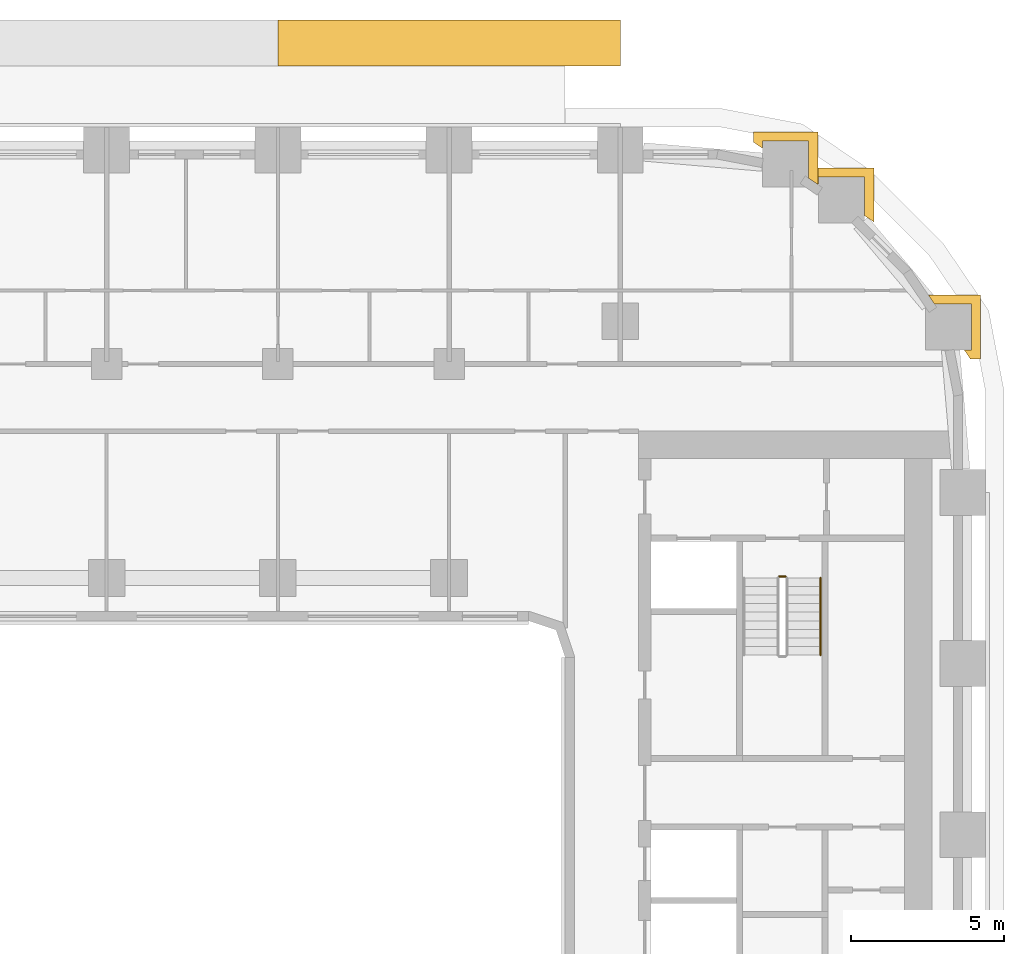
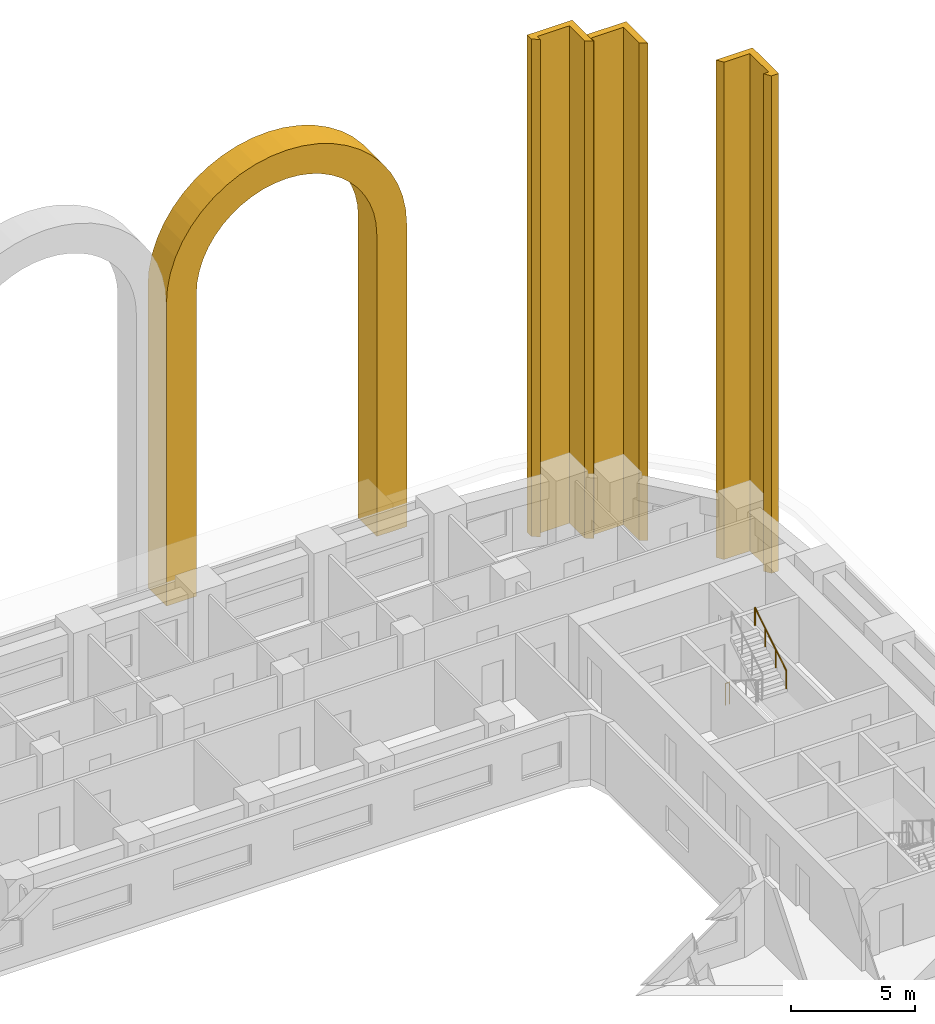
# One storey, part 21 of 21: 4 coverings, 2 railings.
"""IFC4 building model written with IfcOpenShell, lengths in metres."""

from ifc_helpers import new_model, si_unit, direction, frame, origin, origin_2d, place, context, subcontext, project, spatial, polyline, circle, outline, extrude, material, layer, layer_set, type_object, element, save


model = new_model("IFC4")

# Units and contexts
model_context = context("Model", 3, precision=1e-05, world=origin(), true_north=direction((0.0, 1.0)))
body_context = subcontext(model_context, "Body", "Model", "MODEL_VIEW")
ifc_project = project(units=[si_unit("LENGTHUNIT", "METRE"), si_unit("AREAUNIT", "SQUARE_METRE"), si_unit("VOLUMEUNIT", "CUBIC_METRE"), si_unit("PLANEANGLEUNIT", "RADIAN"), si_unit("MASSUNIT", "GRAM", prefix="KILO")], contexts=[model_context])

# Site, building, storey
site_placement = place(None, origin())
site = spatial("IfcSite", under=ifc_project, at=site_placement, CompositionType="ELEMENT")
building_placement = place(site_placement, origin())
building = spatial("IfcBuilding", under=site, at=building_placement, Name="Kiln Ring Residences", CompositionType="ELEMENT")
storey_placement = place(building_placement, frame((0.0, 0.0, 30.5)))
storey = spatial("IfcBuildingStorey", under=building, at=storey_placement, Name="L06", CompositionType="ELEMENT", Elevation=30.5)

# Covering
ifc_material_1 = material(Name="Brick masonry, dark clay brick", Category="masonry")
ifc_layer_1 = layer(ifc_material_1, 1.39990234375)
ifc_layer_set_1 = layer_set([ifc_layer_1], Name="ARCH SURROUND 1500")
covering_type_1 = type_object("IfcCoveringType", Name="ARCH SURROUND 1500", PredefinedType="CLADDING", material=ifc_layer_set_1)
covering_1_placement = place(storey_placement, frame((5.60009765625, 25.89990234375, 0.5), z_axis=(0.0, 0.0, 1.0), x_axis=(1.0, 0.0, 0.0)))
element("IfcCovering", 1, at=covering_1_placement, inside=storey, type_object=covering_type_1, Name="ARCH SURROUND Z1 N1.3", PredefinedType="CLADDING", context=body_context, shape_type="SweptSolid", body=[
    extrude(outline(polyline([(0.0, 0.0), (0.0, 14.89990234375), (0.0478515625, 15.630859375), (0.19091796875, 16.349365234375), (0.42626953125, 17.04296875), (0.750244140625, 17.699951171875), (1.1572265625, 18.30908203125), (1.64013671875, 18.85986328125), (2.19091796875, 19.3427734375), (2.800048828125, 19.749755859375), (3.45703125, 20.07373046875), (4.150634765625, 20.30908203125), (4.869140625, 20.4521484375), (5.60009765625, 20.5), (6.330810546875, 20.4521484375), (7.04931640625, 20.30908203125), (7.742919921875, 20.07373046875), (8.39990234375, 19.749755859375), (9.009033203125, 19.3427734375), (9.559814453125, 18.85986328125), (10.042724609375, 18.30908203125), (10.44970703125, 17.699951171875), (10.773681640625, 17.04296875), (11.00927734375, 16.349365234375), (11.152099609375, 15.630859375), (11.199951171875, 14.89990234375), (11.199951171875, 0.0), (9.800048828125, 0.0), (9.800048828125, 14.89990234375), (9.76416015625, 15.4482421875), (9.656982421875, 15.987060546875), (9.480224609375, 16.50732421875), (9.2373046875, 17.0), (8.93212890625, 17.456787109375), (8.56982421875, 17.869873046875), (8.15673828125, 18.232177734375), (7.699951171875, 18.537353515625), (7.207275390625, 18.7802734375), (6.68701171875, 18.956787109375), (6.148193359375, 19.064208984375), (5.60009765625, 19.10009765625), (5.0517578125, 19.064208984375), (4.512939453125, 18.956787109375), (3.99267578125, 18.7802734375), (3.5, 18.537353515625), (3.043212890625, 18.232177734375), (2.630126953125, 17.869873046875), (2.267822265625, 17.456787109375), (1.962646484375, 17.0), (1.7197265625, 16.50732421875), (1.543212890625, 15.987060546875), (1.435791015625, 15.4482421875), (1.39990234375, 14.89990234375), (1.39990234375, 0.0), (0.0, 0.0)])), frame((0.0, 0.75, 0.0), z_axis=(0.0, -1.0, 0.0), x_axis=(1.0, 0.0, 0.0)), (0.0, 0.0, 1.0), 1.5),
])

# Railings
ifc_material_2 = material(Name="Stainless steel", Category="steel")
railing_type_1 = type_object("IfcRailingType", Name="CORE-STAIR-GUARD", PredefinedType="GUARDRAIL", material=ifc_material_2)
railing_1_placement = place(storey_placement, frame((22.0, 8.449951171875, 0.0)))
element("IfcRailing", 2, at=railing_1_placement, inside=storey, type_object=railing_type_1, Name="L06 E-STN stair guard 4", PredefinedType="GUARDRAIL", context=body_context, shape_type="SweptSolid", body=[
    extrude(circle(Radius=0.02392578125, at=origin_2d()), frame((0.0, 0.0, 1.076171875), z_axis=(1.0, 0.0, 0.0), x_axis=(0.0, 1.0, 0.0)), (0.0, 0.0, 1.0), 0.199951171875),
    extrude(circle(Radius=0.02099609375, at=origin_2d()), origin(), (0.0, 0.0, 1.0), 1.052001953125),
    extrude(circle(Radius=0.02099609375, at=origin_2d()), frame((0.199951171875, 0.0, 0.0)), (0.0, 0.0, 1.0), 1.052001953125),
])
ifc_material_3 = material(Name="Stainless steel", Category="steel")
railing_type_2 = type_object("IfcRailingType", Name="CORE-STAIR-HANDRAIL", PredefinedType="HANDRAIL", material=ifc_material_3)
railing_2_placement = place(storey_placement, frame((23.35009765625, 5.8798828125, 1.925048828125)))
element("IfcRailing", 3, at=railing_2_placement, inside=storey, type_object=railing_type_2, Name="L06 E-STN stair handrail 2", PredefinedType="HANDRAIL", context=body_context, shape_type="SweptSolid", body=[
    extrude(circle(Radius=0.02392578125, at=origin_2d()), frame((0.0, 0.0, 0.8759765625), z_axis=(0.0, 0.848007534815, 0.529984170421), x_axis=(-1.0, 0.0, 0.0)), (0.0, 0.0, 1.0), 2.9716796875),
    extrude(circle(Radius=0.02099609375, at=origin_2d()), origin(), (0.0, 0.0, 1.0), 0.851806640625),
    extrude(circle(Radius=0.02099609375, at=origin_2d()), frame((0.0, 0.840087890625, 0.52490234375)), (0.0, 0.0, 1.0), 0.851806640625),
    extrude(circle(Radius=0.02099609375, at=origin_2d()), frame((0.0, 1.679931640625, 1.050048828125)), (0.0, 0.0, 1.0), 0.851806640625),
    extrude(circle(Radius=0.02099609375, at=origin_2d()), frame((0.0, 2.52001953125, 1.574951171875)), (0.0, 0.0, 1.0), 0.851806640625),
])

# Coverings
ifc_material_4 = material(Name="Brick masonry, dark clay brick", Category="masonry")
ifc_layer_2 = layer(ifc_material_4, 0.300048828125)
ifc_layer_set_2 = layer_set([ifc_layer_2], Name="PIER CLADDING 300")
covering_type_2 = type_object("IfcCoveringType", Name="PIER CLADDING 300", PredefinedType="CLADDING", material=ifc_layer_set_2)
placement = place(storey_placement, origin())
element("IfcCovering", 4, at=placement, inside=storey, type_object=covering_type_2, Name="PIER CLADDING L06-L12", PredefinedType="CLADDING", context=body_context, shape_type="SweptSolid", body=[
    extrude(outline(polyline([(28.588134765625, 15.55859375), (28.588134765625, 17.65869140625), (26.87255859375, 17.65869140625), (27.076416015625, 17.358642578125), (28.2880859375, 17.358642578125), (28.2880859375, 15.858642578125), (28.0478515625, 15.858642578125), (28.251708984375, 15.55859375), (28.588134765625, 15.55859375)])), origin(), (0.0, 0.0, 1.0), 24.5),
])
element("IfcCovering", 5, at=placement, inside=storey, type_object=covering_type_2, Name="PIER CLADDING L06-L12", PredefinedType="CLADDING", context=body_context, shape_type="SweptSolid", body=[
    extrude(outline(polyline([(25.090087890625, 21.809814453125), (22.990234375, 21.809814453125), (22.990234375, 21.473388671875), (23.290283203125, 21.26953125), (23.290283203125, 21.509765625), (24.790283203125, 21.509765625), (24.790283203125, 20.25), (25.090087890625, 20.046142578125), (25.090087890625, 21.809814453125)])), origin(), (0.0, 0.0, 1.0), 24.5),
])
element("IfcCovering", 6, at=placement, inside=storey, type_object=covering_type_2, Name="PIER CLADDING L06-L12", PredefinedType="CLADDING", context=body_context, shape_type="SweptSolid", body=[
    extrude(outline(polyline([(23.2587890625, 22.988037109375), (21.15869140625, 22.988037109375), (21.15869140625, 22.651611328125), (21.458740234375, 22.44775390625), (21.458740234375, 22.68798828125), (22.958740234375, 22.68798828125), (22.958740234375, 21.4765625), (23.2587890625, 21.272705078125), (23.2587890625, 22.988037109375)])), origin(), (0.0, 0.0, 1.0), 24.5),
])

save(model, "model.ifc")
